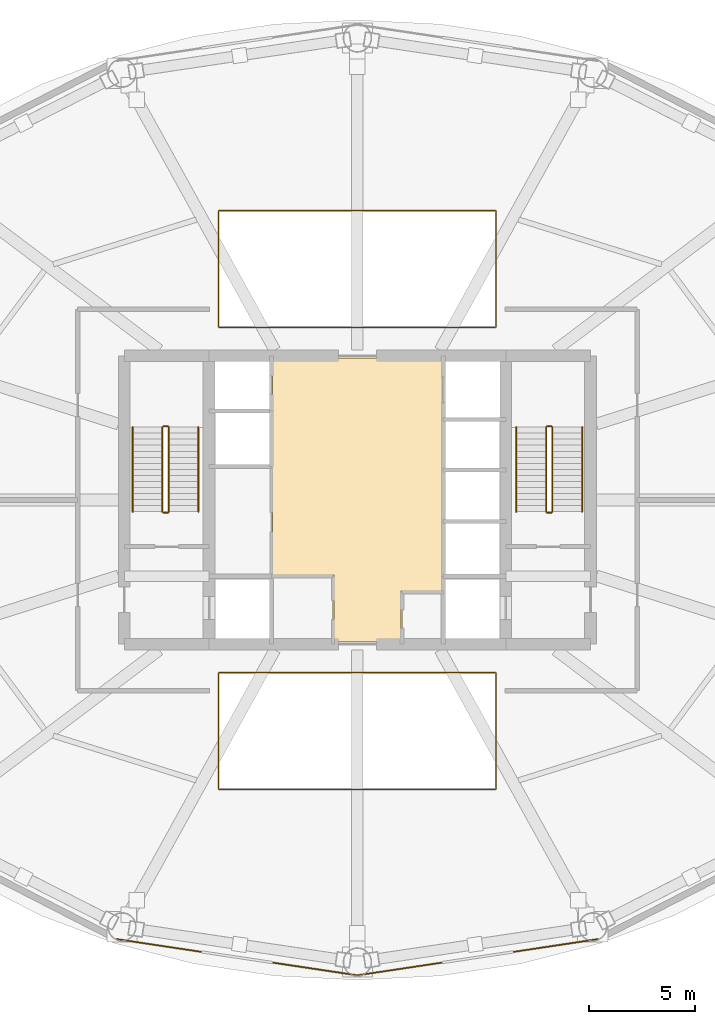
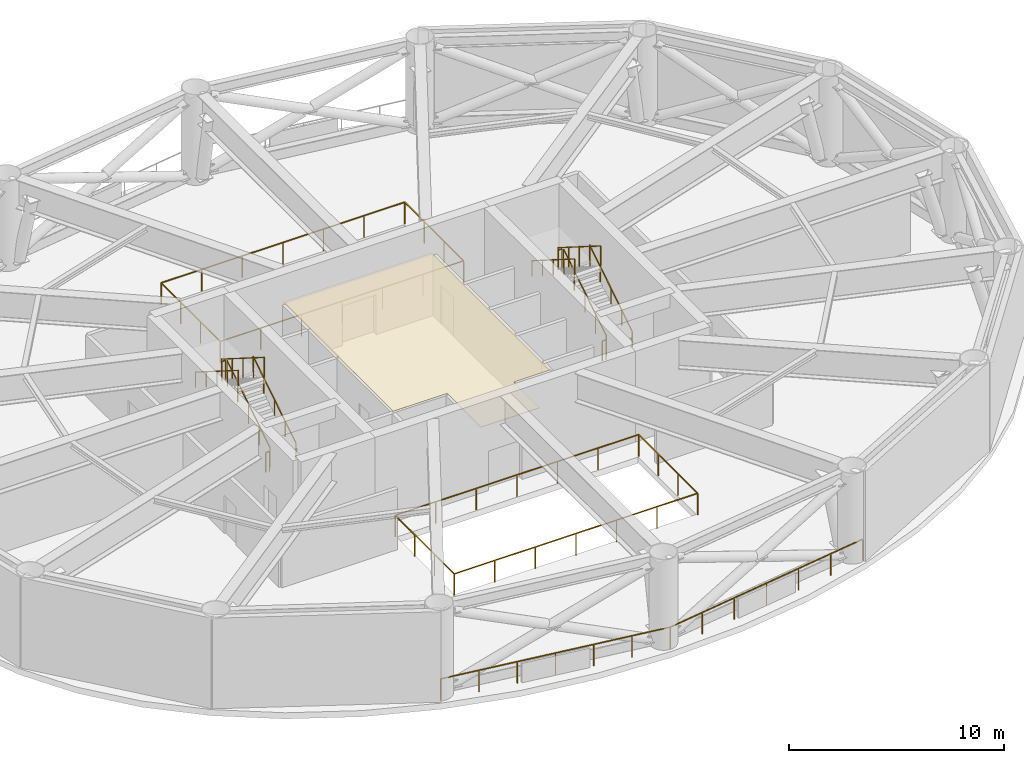
# One storey, part 7 of 8: 16 railings, 1 covering.
"""IFC4 building model written with IfcOpenShell, lengths in metres."""

from ifc_helpers import new_model, si_unit, direction, frame, origin, origin_2d, place, context, subcontext, project, spatial, polyline, rectangle, outline, extrude, material, layer, layer_set, type_object, element, save


model = new_model("IFC4")

# Units and contexts
model_context = context("Model", 3, precision=1e-05, world=origin(), true_north=direction((0.0, 1.0)))
body_context = subcontext(model_context, "Body", "Model", "MODEL_VIEW")
ifc_project = project(units=[si_unit("LENGTHUNIT", "METRE"), si_unit("AREAUNIT", "SQUARE_METRE"), si_unit("VOLUMEUNIT", "CUBIC_METRE"), si_unit("PLANEANGLEUNIT", "RADIAN"), si_unit("MASSUNIT", "GRAM", prefix="KILO")], contexts=[model_context])

# Site, building, storey
site_placement = place(None, origin())
site = spatial("IfcSite", under=ifc_project, at=site_placement, CompositionType="ELEMENT")
building_placement = place(site_placement, origin())
building = spatial("IfcBuilding", under=site, at=building_placement, Name="Sarneth Arch Tower", CompositionType="ELEMENT")
storey_placement = place(building_placement, frame((0.0, 0.0, 145.199951171875)))
storey = spatial("IfcBuildingStorey", under=building, at=storey_placement, Name="L36", CompositionType="ELEMENT", Elevation=145.199951171875)

# Covering
ifc_material_1 = material(Name="Perforated acoustic gypsum ceiling board")
ifc_layer = layer(ifc_material_1, 0.02490234375)
ifc_layer_set = layer_set([ifc_layer], Name="Perforated acoustic gypsum ceiling board")
covering_type = type_object("IfcCoveringType", Name="COV-CEIL-GYP", PredefinedType="CEILING", material=ifc_layer_set)
covering_placement = place(storey_placement, frame((0.0, 0.0, 3.420166015625)))
element("IfcCovering", 1, at=covering_placement, inside=storey, type_object=covering_type, Name="L36 Lift lobby acoustic ceiling", PredefinedType="CEILING", context=body_context, shape_type="SweptSolid", body=[
    extrude(outline(polyline([(52.0, 37.699951171875), (50.050048828125, 37.699951171875), (50.050048828125, 35.300048828125), (46.89990234375, 35.300048828125), (46.89990234375, 38.449951171875), (44.0, 38.449951171875), (44.0, 48.699951171875), (52.0, 48.699951171875), (52.0, 37.699951171875)])), origin(), (0.0, 0.0, 1.0), 0.02978515625),
])

# Railings
ifc_material_2 = material(Name="Brushed Stainless Steel 304 tubular handrail", Category="steel")
railing_type_1 = type_object("IfcRailingType", Name="RAIL-HANDRAIL-900", PredefinedType="HANDRAIL", material=ifc_material_2)
railing_1_placement = place(storey_placement, frame((40.5, 41.449951171875, 0.179931640625)))
element("IfcRailing", 2, at=railing_1_placement, inside=storey, type_object=railing_type_1, Name="L36 ST-1 stair handrail 1", PredefinedType="HANDRAIL", context=body_context, shape_type="SweptSolid", body=[
    extrude(rectangle(XDim=0.048095703125, YDim=0.048095703125, at=origin_2d()), frame((0.0, 0.0, 0.8759765625), z_axis=(0.0, 0.845486444383, 0.533996884227), x_axis=(-1.0, 0.0, 0.0)), (0.0, 0.0, 1.0), 4.71923828125),
    extrude(rectangle(XDim=0.0419921875, YDim=0.0419921875, at=origin_2d()), origin(), (0.0, 0.0, 1.0), 0.851806640625),
    extrude(rectangle(XDim=0.0419921875, YDim=0.0419921875, at=origin_2d()), frame((0.0, 0.99755859375, 0.6298828125)), (0.0, 0.0, 1.0), 0.851806640625),
    extrude(rectangle(XDim=0.0419921875, YDim=0.0419921875, at=origin_2d()), frame((0.0, 1.9951171875, 1.260009765625)), (0.0, 0.0, 1.0), 0.851806640625),
    extrude(rectangle(XDim=0.0419921875, YDim=0.0419921875, at=origin_2d()), frame((0.0, 2.992431640625, 1.89013671875)), (0.0, 0.0, 1.0), 0.851806640625),
    extrude(rectangle(XDim=0.0419921875, YDim=0.0419921875, at=origin_2d()), frame((0.0, 3.989990234375, 2.52001953125)), (0.0, 0.0, 1.0), 0.851806640625),
])
railing_2_placement = place(storey_placement, frame((37.39990234375, 45.43994140625, 2.880126953125)))
element("IfcRailing", 3, at=railing_2_placement, inside=storey, type_object=railing_type_1, Name="L36 ST-1 stair handrail 2", PredefinedType="HANDRAIL", context=body_context, shape_type="SweptSolid", body=[
    extrude(rectangle(XDim=0.048095703125, YDim=0.048095703125, at=origin_2d()), frame((0.0, 0.0, 0.8759765625), z_axis=(0.0, -0.845486444383, 0.533996884227), x_axis=(1.0, 0.0, 0.0)), (0.0, 0.0, 1.0), 4.71923828125),
    extrude(rectangle(XDim=0.0419921875, YDim=0.0419921875, at=origin_2d()), origin(), (0.0, 0.0, 1.0), 0.851806640625),
    extrude(rectangle(XDim=0.0419921875, YDim=0.0419921875, at=origin_2d()), frame((0.0, -0.99755859375, 0.6298828125)), (0.0, 0.0, 1.0), 0.851806640625),
    extrude(rectangle(XDim=0.0419921875, YDim=0.0419921875, at=origin_2d()), frame((0.0, -1.9951171875, 1.260009765625)), (0.0, 0.0, 1.0), 0.851806640625),
    extrude(rectangle(XDim=0.0419921875, YDim=0.0419921875, at=origin_2d()), frame((0.0, -2.992431640625, 1.89013671875)), (0.0, 0.0, 1.0), 0.851806640625),
    extrude(rectangle(XDim=0.0419921875, YDim=0.0419921875, at=origin_2d()), frame((0.0, -3.989990234375, 2.52001953125)), (0.0, 0.0, 1.0), 0.851806640625),
])
railing_3_placement = place(storey_placement, frame((58.60009765625, 41.449951171875, 0.179931640625)))
element("IfcRailing", 4, at=railing_3_placement, inside=storey, type_object=railing_type_1, Name="L36 ST-2 stair handrail 1", PredefinedType="HANDRAIL", context=body_context, shape_type="SweptSolid", body=[
    extrude(rectangle(XDim=0.048095703125, YDim=0.048095703125, at=origin_2d()), frame((0.0, 0.0, 0.8759765625), z_axis=(0.0, 0.845486444383, 0.533996884227), x_axis=(-1.0, 0.0, 0.0)), (0.0, 0.0, 1.0), 4.71923828125),
    extrude(rectangle(XDim=0.0419921875, YDim=0.0419921875, at=origin_2d()), origin(), (0.0, 0.0, 1.0), 0.851806640625),
    extrude(rectangle(XDim=0.0419921875, YDim=0.0419921875, at=origin_2d()), frame((0.0, 0.99755859375, 0.6298828125)), (0.0, 0.0, 1.0), 0.851806640625),
    extrude(rectangle(XDim=0.0419921875, YDim=0.0419921875, at=origin_2d()), frame((0.0, 1.9951171875, 1.260009765625)), (0.0, 0.0, 1.0), 0.851806640625),
    extrude(rectangle(XDim=0.0419921875, YDim=0.0419921875, at=origin_2d()), frame((0.0, 2.992431640625, 1.89013671875)), (0.0, 0.0, 1.0), 0.851806640625),
    extrude(rectangle(XDim=0.0419921875, YDim=0.0419921875, at=origin_2d()), frame((0.0, 3.989990234375, 2.52001953125)), (0.0, 0.0, 1.0), 0.851806640625),
])
railing_4_placement = place(storey_placement, frame((55.5, 45.43994140625, 2.880126953125)))
element("IfcRailing", 5, at=railing_4_placement, inside=storey, type_object=railing_type_1, Name="L36 ST-2 stair handrail 2", PredefinedType="HANDRAIL", context=body_context, shape_type="SweptSolid", body=[
    extrude(rectangle(XDim=0.048095703125, YDim=0.048095703125, at=origin_2d()), frame((0.0, 0.0, 0.8759765625), z_axis=(0.0, -0.845486444383, 0.533996884227), x_axis=(1.0, 0.0, 0.0)), (0.0, 0.0, 1.0), 4.71923828125),
    extrude(rectangle(XDim=0.0419921875, YDim=0.0419921875, at=origin_2d()), origin(), (0.0, 0.0, 1.0), 0.851806640625),
    extrude(rectangle(XDim=0.0419921875, YDim=0.0419921875, at=origin_2d()), frame((0.0, -0.99755859375, 0.6298828125)), (0.0, 0.0, 1.0), 0.851806640625),
    extrude(rectangle(XDim=0.0419921875, YDim=0.0419921875, at=origin_2d()), frame((0.0, -1.9951171875, 1.260009765625)), (0.0, 0.0, 1.0), 0.851806640625),
    extrude(rectangle(XDim=0.0419921875, YDim=0.0419921875, at=origin_2d()), frame((0.0, -2.992431640625, 1.89013671875)), (0.0, 0.0, 1.0), 0.851806640625),
    extrude(rectangle(XDim=0.0419921875, YDim=0.0419921875, at=origin_2d()), frame((0.0, -3.989990234375, 2.52001953125)), (0.0, 0.0, 1.0), 0.851806640625),
])
ifc_material_3 = material(Name="Painted Steel S275 stair well guard", Category="steel")
railing_type_2 = type_object("IfcRailingType", Name="RAIL-STAIR-GUARD", PredefinedType="GUARDRAIL", material=ifc_material_3)
railing_5_placement = place(storey_placement, frame((39.10009765625, 41.449951171875, 0.179931640625)))
element("IfcRailing", 6, at=railing_5_placement, inside=storey, type_object=railing_type_2, Name="L36 ST-1 stair guard 1", PredefinedType="GUARDRAIL", context=body_context, shape_type="SweptSolid", body=[
    extrude(rectangle(XDim=0.048095703125, YDim=0.048095703125, at=origin_2d()), frame((0.0, 0.0, 1.1259765625), z_axis=(0.0, 0.845486444383, 0.533996884227), x_axis=(-1.0, 0.0, 0.0)), (0.0, 0.0, 1.0), 4.71923828125),
    extrude(rectangle(XDim=0.0419921875, YDim=0.0419921875, at=origin_2d()), origin(), (0.0, 0.0, 1.0), 1.101806640625),
    extrude(rectangle(XDim=0.0419921875, YDim=0.0419921875, at=origin_2d()), frame((0.0, 0.99755859375, 0.6298828125)), (0.0, 0.0, 1.0), 1.101806640625),
    extrude(rectangle(XDim=0.0419921875, YDim=0.0419921875, at=origin_2d()), frame((0.0, 1.9951171875, 1.260009765625)), (0.0, 0.0, 1.0), 1.101806640625),
    extrude(rectangle(XDim=0.0419921875, YDim=0.0419921875, at=origin_2d()), frame((0.0, 2.992431640625, 1.89013671875)), (0.0, 0.0, 1.0), 1.101806640625),
    extrude(rectangle(XDim=0.0419921875, YDim=0.0419921875, at=origin_2d()), frame((0.0, 3.989990234375, 2.52001953125)), (0.0, 0.0, 1.0), 1.101806640625),
])
railing_6_placement = place(storey_placement, frame((39.050048828125, 45.489990234375, 2.699951171875)))
element("IfcRailing", 7, at=railing_6_placement, inside=storey, type_object=railing_type_2, Name="L36 ST-1 stair guard 2", PredefinedType="GUARDRAIL", context=body_context, shape_type="SweptSolid", body=[
    extrude(rectangle(XDim=0.048095703125, YDim=0.048095703125, at=origin_2d()), frame((0.0, 0.0, 1.1259765625), z_axis=(-1.0, 0.0, 0.0), x_axis=(0.0, -1.0, 0.0)), (0.0, 0.0, 1.0), 0.199951171875),
    extrude(rectangle(XDim=0.0419921875, YDim=0.0419921875, at=origin_2d()), origin(), (0.0, 0.0, 1.0), 1.101806640625),
    extrude(rectangle(XDim=0.0419921875, YDim=0.0419921875, at=origin_2d()), frame((-0.199951171875, 0.0, 0.0)), (0.0, 0.0, 1.0), 1.101806640625),
])
railing_7_placement = place(storey_placement, frame((38.800048828125, 45.43994140625, 2.880126953125)))
element("IfcRailing", 8, at=railing_7_placement, inside=storey, type_object=railing_type_2, Name="L36 ST-1 stair guard 3", PredefinedType="GUARDRAIL", context=body_context, shape_type="SweptSolid", body=[
    extrude(rectangle(XDim=0.048095703125, YDim=0.048095703125, at=origin_2d()), frame((0.0, 0.0, 1.1259765625), z_axis=(0.0, -0.845486444383, 0.533996884227), x_axis=(1.0, 0.0, 0.0)), (0.0, 0.0, 1.0), 4.71923828125),
    extrude(rectangle(XDim=0.0419921875, YDim=0.0419921875, at=origin_2d()), origin(), (0.0, 0.0, 1.0), 1.101806640625),
    extrude(rectangle(XDim=0.0419921875, YDim=0.0419921875, at=origin_2d()), frame((0.0, -0.99755859375, 0.6298828125)), (0.0, 0.0, 1.0), 1.101806640625),
    extrude(rectangle(XDim=0.0419921875, YDim=0.0419921875, at=origin_2d()), frame((0.0, -1.9951171875, 1.260009765625)), (0.0, 0.0, 1.0), 1.101806640625),
    extrude(rectangle(XDim=0.0419921875, YDim=0.0419921875, at=origin_2d()), frame((0.0, -2.992431640625, 1.89013671875)), (0.0, 0.0, 1.0), 1.101806640625),
    extrude(rectangle(XDim=0.0419921875, YDim=0.0419921875, at=origin_2d()), frame((0.0, -3.989990234375, 2.52001953125)), (0.0, 0.0, 1.0), 1.101806640625),
])
railing_8_placement = place(storey_placement, frame((39.050048828125, 41.39990234375, 0.0)))
element("IfcRailing", 9, at=railing_8_placement, inside=storey, type_object=railing_type_2, Name="L36 ST-1 stair guard 4", PredefinedType="GUARDRAIL", context=body_context, shape_type="SweptSolid", body=[
    extrude(rectangle(XDim=0.048095703125, YDim=0.048095703125, at=origin_2d()), frame((0.0, 0.0, 1.1259765625), z_axis=(-1.0, 0.0, 0.0), x_axis=(0.0, -1.0, 0.0)), (0.0, 0.0, 1.0), 0.199951171875),
    extrude(rectangle(XDim=0.0419921875, YDim=0.0419921875, at=origin_2d()), origin(), (0.0, 0.0, 1.0), 1.101806640625),
    extrude(rectangle(XDim=0.0419921875, YDim=0.0419921875, at=origin_2d()), frame((-0.199951171875, 0.0, 0.0)), (0.0, 0.0, 1.0), 1.101806640625),
])
railing_9_placement = place(storey_placement, frame((57.199951171875, 41.449951171875, 0.179931640625)))
element("IfcRailing", 10, at=railing_9_placement, inside=storey, type_object=railing_type_2, Name="L36 ST-2 stair guard 1", PredefinedType="GUARDRAIL", context=body_context, shape_type="SweptSolid", body=[
    extrude(rectangle(XDim=0.048095703125, YDim=0.048095703125, at=origin_2d()), frame((0.0, 0.0, 1.1259765625), z_axis=(0.0, 0.845486444383, 0.533996884227), x_axis=(-1.0, 0.0, 0.0)), (0.0, 0.0, 1.0), 4.71923828125),
    extrude(rectangle(XDim=0.0419921875, YDim=0.0419921875, at=origin_2d()), origin(), (0.0, 0.0, 1.0), 1.101806640625),
    extrude(rectangle(XDim=0.0419921875, YDim=0.0419921875, at=origin_2d()), frame((0.0, 0.99755859375, 0.6298828125)), (0.0, 0.0, 1.0), 1.101806640625),
    extrude(rectangle(XDim=0.0419921875, YDim=0.0419921875, at=origin_2d()), frame((0.0, 1.9951171875, 1.260009765625)), (0.0, 0.0, 1.0), 1.101806640625),
    extrude(rectangle(XDim=0.0419921875, YDim=0.0419921875, at=origin_2d()), frame((0.0, 2.992431640625, 1.89013671875)), (0.0, 0.0, 1.0), 1.101806640625),
    extrude(rectangle(XDim=0.0419921875, YDim=0.0419921875, at=origin_2d()), frame((0.0, 3.989990234375, 2.52001953125)), (0.0, 0.0, 1.0), 1.101806640625),
])
railing_10_placement = place(storey_placement, frame((57.14990234375, 45.489990234375, 2.699951171875)))
element("IfcRailing", 11, at=railing_10_placement, inside=storey, type_object=railing_type_2, Name="L36 ST-2 stair guard 2", PredefinedType="GUARDRAIL", context=body_context, shape_type="SweptSolid", body=[
    extrude(rectangle(XDim=0.048095703125, YDim=0.048095703125, at=origin_2d()), frame((0.0, 0.0, 1.1259765625), z_axis=(-1.0, 0.0, 0.0), x_axis=(0.0, -1.0, 0.0)), (0.0, 0.0, 1.0), 0.199951171875),
    extrude(rectangle(XDim=0.0419921875, YDim=0.0419921875, at=origin_2d()), origin(), (0.0, 0.0, 1.0), 1.101806640625),
    extrude(rectangle(XDim=0.0419921875, YDim=0.0419921875, at=origin_2d()), frame((-0.199951171875, 0.0, 0.0)), (0.0, 0.0, 1.0), 1.101806640625),
])
railing_11_placement = place(storey_placement, frame((56.89990234375, 45.43994140625, 2.880126953125)))
element("IfcRailing", 12, at=railing_11_placement, inside=storey, type_object=railing_type_2, Name="L36 ST-2 stair guard 3", PredefinedType="GUARDRAIL", context=body_context, shape_type="SweptSolid", body=[
    extrude(rectangle(XDim=0.048095703125, YDim=0.048095703125, at=origin_2d()), frame((0.0, 0.0, 1.1259765625), z_axis=(0.0, -0.845486444383, 0.533996884227), x_axis=(1.0, 0.0, 0.0)), (0.0, 0.0, 1.0), 4.71923828125),
    extrude(rectangle(XDim=0.0419921875, YDim=0.0419921875, at=origin_2d()), origin(), (0.0, 0.0, 1.0), 1.101806640625),
    extrude(rectangle(XDim=0.0419921875, YDim=0.0419921875, at=origin_2d()), frame((0.0, -0.99755859375, 0.6298828125)), (0.0, 0.0, 1.0), 1.101806640625),
    extrude(rectangle(XDim=0.0419921875, YDim=0.0419921875, at=origin_2d()), frame((0.0, -1.9951171875, 1.260009765625)), (0.0, 0.0, 1.0), 1.101806640625),
    extrude(rectangle(XDim=0.0419921875, YDim=0.0419921875, at=origin_2d()), frame((0.0, -2.992431640625, 1.89013671875)), (0.0, 0.0, 1.0), 1.101806640625),
    extrude(rectangle(XDim=0.0419921875, YDim=0.0419921875, at=origin_2d()), frame((0.0, -3.989990234375, 2.52001953125)), (0.0, 0.0, 1.0), 1.101806640625),
])
railing_12_placement = place(storey_placement, frame((57.14990234375, 41.39990234375, 0.0)))
element("IfcRailing", 13, at=railing_12_placement, inside=storey, type_object=railing_type_2, Name="L36 ST-2 stair guard 4", PredefinedType="GUARDRAIL", context=body_context, shape_type="SweptSolid", body=[
    extrude(rectangle(XDim=0.048095703125, YDim=0.048095703125, at=origin_2d()), frame((0.0, 0.0, 1.1259765625), z_axis=(-1.0, 0.0, 0.0), x_axis=(0.0, -1.0, 0.0)), (0.0, 0.0, 1.0), 0.199951171875),
    extrude(rectangle(XDim=0.0419921875, YDim=0.0419921875, at=origin_2d()), origin(), (0.0, 0.0, 1.0), 1.101806640625),
    extrude(rectangle(XDim=0.0419921875, YDim=0.0419921875, at=origin_2d()), frame((-0.199951171875, 0.0, 0.0)), (0.0, 0.0, 1.0), 1.101806640625),
])
ifc_material_4 = material(Name="Stainless Steel 316 balustrade with vertical posts at 1,800 mm centres", Category="steel")
railing_type_3 = type_object("IfcRailingType", Name="RAIL-TERR-1250", PredefinedType="GUARDRAIL", material=ifc_material_4)
railing_13_placement = place(storey_placement, frame((41.449951171875, 50.14990234375, 0.0)))
element("IfcRailing", 14, at=railing_13_placement, inside=storey, type_object=railing_type_3, Name="L36 Wind-turbine slot deck opening guard N", PredefinedType="GUARDRAIL", context=body_context, shape_type="SweptSolid", body=[
    extrude(rectangle(XDim=0.048095703125, YDim=0.048095703125, at=origin_2d()), frame((0.0, 0.0, 1.22607421875), z_axis=(1.0, 0.0, 0.0), x_axis=(0.0, 1.0, 0.0)), (0.0, 0.0, 1.0), 13.10009765625),
    extrude(rectangle(XDim=0.048095703125, YDim=0.048095703125, at=origin_2d()), frame((13.10009765625, 0.0, 1.22607421875), z_axis=(0.0, 1.0, 0.0), x_axis=(-1.0, 0.0, 0.0)), (0.0, 0.0, 1.0), 5.5),
    extrude(rectangle(XDim=0.048095703125, YDim=0.048095703125, at=origin_2d()), frame((13.10009765625, 5.5, 1.22607421875), z_axis=(-1.0, 0.0, 0.0), x_axis=(0.0, -1.0, 0.0)), (0.0, 0.0, 1.0), 13.10009765625),
    extrude(rectangle(XDim=0.048095703125, YDim=0.048095703125, at=origin_2d()), frame((0.0, 5.5, 1.22607421875), z_axis=(0.0, -1.0, 0.0), x_axis=(1.0, 0.0, 0.0)), (0.0, 0.0, 1.0), 5.5),
    extrude(rectangle(XDim=0.0419921875, YDim=0.0419921875, at=origin_2d()), origin(), (0.0, 0.0, 1.0), 1.201904296875),
    extrude(rectangle(XDim=0.0419921875, YDim=0.0419921875, at=origin_2d()), frame((2.183349609375, 0.0, 0.0)), (0.0, 0.0, 1.0), 1.201904296875),
    extrude(rectangle(XDim=0.0419921875, YDim=0.0419921875, at=origin_2d()), frame((4.36669921875, 0.0, 0.0)), (0.0, 0.0, 1.0), 1.201904296875),
    extrude(rectangle(XDim=0.0419921875, YDim=0.0419921875, at=origin_2d()), frame((6.550048828125, 0.0, 0.0)), (0.0, 0.0, 1.0), 1.201904296875),
    extrude(rectangle(XDim=0.0419921875, YDim=0.0419921875, at=origin_2d()), frame((8.7333984375, 0.0, 0.0)), (0.0, 0.0, 1.0), 1.201904296875),
    extrude(rectangle(XDim=0.0419921875, YDim=0.0419921875, at=origin_2d()), frame((10.916748046875, 0.0, 0.0)), (0.0, 0.0, 1.0), 1.201904296875),
    extrude(rectangle(XDim=0.0419921875, YDim=0.0419921875, at=origin_2d()), frame((13.10009765625, 0.0, 0.0)), (0.0, 0.0, 1.0), 1.201904296875),
    extrude(rectangle(XDim=0.0419921875, YDim=0.0419921875, at=origin_2d()), frame((13.10009765625, 1.833251953125, 0.0)), (0.0, 0.0, 1.0), 1.201904296875),
    extrude(rectangle(XDim=0.0419921875, YDim=0.0419921875, at=origin_2d()), frame((13.10009765625, 3.666748046875, 0.0)), (0.0, 0.0, 1.0), 1.201904296875),
    extrude(rectangle(XDim=0.0419921875, YDim=0.0419921875, at=origin_2d()), frame((13.10009765625, 5.5, 0.0)), (0.0, 0.0, 1.0), 1.201904296875),
    extrude(rectangle(XDim=0.0419921875, YDim=0.0419921875, at=origin_2d()), frame((10.916748046875, 5.5, 0.0)), (0.0, 0.0, 1.0), 1.201904296875),
    extrude(rectangle(XDim=0.0419921875, YDim=0.0419921875, at=origin_2d()), frame((8.7333984375, 5.5, 0.0)), (0.0, 0.0, 1.0), 1.201904296875),
    extrude(rectangle(XDim=0.0419921875, YDim=0.0419921875, at=origin_2d()), frame((6.550048828125, 5.5, 0.0)), (0.0, 0.0, 1.0), 1.201904296875),
    extrude(rectangle(XDim=0.0419921875, YDim=0.0419921875, at=origin_2d()), frame((4.36669921875, 5.5, 0.0)), (0.0, 0.0, 1.0), 1.201904296875),
    extrude(rectangle(XDim=0.0419921875, YDim=0.0419921875, at=origin_2d()), frame((2.183349609375, 5.5, 0.0)), (0.0, 0.0, 1.0), 1.201904296875),
    extrude(rectangle(XDim=0.0419921875, YDim=0.0419921875, at=origin_2d()), frame((0.0, 5.5, 0.0)), (0.0, 0.0, 1.0), 1.201904296875),
    extrude(rectangle(XDim=0.0419921875, YDim=0.0419921875, at=origin_2d()), frame((0.0, 3.666748046875, 0.0)), (0.0, 0.0, 1.0), 1.201904296875),
    extrude(rectangle(XDim=0.0419921875, YDim=0.0419921875, at=origin_2d()), frame((0.0, 1.833251953125, 0.0)), (0.0, 0.0, 1.0), 1.201904296875),
])
railing_14_placement = place(storey_placement, frame((41.449951171875, 28.35009765625, 0.0)))
element("IfcRailing", 15, at=railing_14_placement, inside=storey, type_object=railing_type_3, Name="L36 Wind-turbine slot deck opening guard S", PredefinedType="GUARDRAIL", context=body_context, shape_type="SweptSolid", body=[
    extrude(rectangle(XDim=0.048095703125, YDim=0.048095703125, at=origin_2d()), frame((0.0, 0.0, 1.22607421875), z_axis=(1.0, 0.0, 0.0), x_axis=(0.0, 1.0, 0.0)), (0.0, 0.0, 1.0), 13.10009765625),
    extrude(rectangle(XDim=0.048095703125, YDim=0.048095703125, at=origin_2d()), frame((13.10009765625, 0.0, 1.22607421875), z_axis=(0.0, 1.0, 0.0), x_axis=(-1.0, 0.0, 0.0)), (0.0, 0.0, 1.0), 5.5),
    extrude(rectangle(XDim=0.048095703125, YDim=0.048095703125, at=origin_2d()), frame((13.10009765625, 5.5, 1.22607421875), z_axis=(-1.0, 0.0, 0.0), x_axis=(0.0, -1.0, 0.0)), (0.0, 0.0, 1.0), 13.10009765625),
    extrude(rectangle(XDim=0.048095703125, YDim=0.048095703125, at=origin_2d()), frame((0.0, 5.5, 1.22607421875), z_axis=(0.0, -1.0, 0.0), x_axis=(1.0, 0.0, 0.0)), (0.0, 0.0, 1.0), 5.5),
    extrude(rectangle(XDim=0.0419921875, YDim=0.0419921875, at=origin_2d()), origin(), (0.0, 0.0, 1.0), 1.201904296875),
    extrude(rectangle(XDim=0.0419921875, YDim=0.0419921875, at=origin_2d()), frame((2.183349609375, 0.0, 0.0)), (0.0, 0.0, 1.0), 1.201904296875),
    extrude(rectangle(XDim=0.0419921875, YDim=0.0419921875, at=origin_2d()), frame((4.36669921875, 0.0, 0.0)), (0.0, 0.0, 1.0), 1.201904296875),
    extrude(rectangle(XDim=0.0419921875, YDim=0.0419921875, at=origin_2d()), frame((6.550048828125, 0.0, 0.0)), (0.0, 0.0, 1.0), 1.201904296875),
    extrude(rectangle(XDim=0.0419921875, YDim=0.0419921875, at=origin_2d()), frame((8.7333984375, 0.0, 0.0)), (0.0, 0.0, 1.0), 1.201904296875),
    extrude(rectangle(XDim=0.0419921875, YDim=0.0419921875, at=origin_2d()), frame((10.916748046875, 0.0, 0.0)), (0.0, 0.0, 1.0), 1.201904296875),
    extrude(rectangle(XDim=0.0419921875, YDim=0.0419921875, at=origin_2d()), frame((13.10009765625, 0.0, 0.0)), (0.0, 0.0, 1.0), 1.201904296875),
    extrude(rectangle(XDim=0.0419921875, YDim=0.0419921875, at=origin_2d()), frame((13.10009765625, 1.833251953125, 0.0)), (0.0, 0.0, 1.0), 1.201904296875),
    extrude(rectangle(XDim=0.0419921875, YDim=0.0419921875, at=origin_2d()), frame((13.10009765625, 3.666748046875, 0.0)), (0.0, 0.0, 1.0), 1.201904296875),
    extrude(rectangle(XDim=0.0419921875, YDim=0.0419921875, at=origin_2d()), frame((13.10009765625, 5.5, 0.0)), (0.0, 0.0, 1.0), 1.201904296875),
    extrude(rectangle(XDim=0.0419921875, YDim=0.0419921875, at=origin_2d()), frame((10.916748046875, 5.5, 0.0)), (0.0, 0.0, 1.0), 1.201904296875),
    extrude(rectangle(XDim=0.0419921875, YDim=0.0419921875, at=origin_2d()), frame((8.7333984375, 5.5, 0.0)), (0.0, 0.0, 1.0), 1.201904296875),
    extrude(rectangle(XDim=0.0419921875, YDim=0.0419921875, at=origin_2d()), frame((6.550048828125, 5.5, 0.0)), (0.0, 0.0, 1.0), 1.201904296875),
    extrude(rectangle(XDim=0.0419921875, YDim=0.0419921875, at=origin_2d()), frame((4.36669921875, 5.5, 0.0)), (0.0, 0.0, 1.0), 1.201904296875),
    extrude(rectangle(XDim=0.0419921875, YDim=0.0419921875, at=origin_2d()), frame((2.183349609375, 5.5, 0.0)), (0.0, 0.0, 1.0), 1.201904296875),
    extrude(rectangle(XDim=0.0419921875, YDim=0.0419921875, at=origin_2d()), frame((0.0, 5.5, 0.0)), (0.0, 0.0, 1.0), 1.201904296875),
    extrude(rectangle(XDim=0.0419921875, YDim=0.0419921875, at=origin_2d()), frame((0.0, 3.666748046875, 0.0)), (0.0, 0.0, 1.0), 1.201904296875),
    extrude(rectangle(XDim=0.0419921875, YDim=0.0419921875, at=origin_2d()), frame((0.0, 1.833251953125, 0.0)), (0.0, 0.0, 1.0), 1.201904296875),
])
railing_15_placement = place(storey_placement, frame((36.648681640625, 21.27734375, 0.0)))
element("IfcRailing", 16, at=railing_15_placement, inside=storey, type_object=railing_type_3, Name="L36 Wind-turbine slot guard 12", PredefinedType="GUARDRAIL", context=body_context, shape_type="SweptSolid", body=[
    extrude(rectangle(XDim=0.048095703125, YDim=0.048095703125, at=origin_2d()), frame((0.0, 0.0, 1.22607421875), z_axis=(0.988877774656, -0.148730450117, 0.0), x_axis=(0.148730450117, 0.988877774656, 0.0)), (0.0, 0.0, 1.0), 11.47900390625),
    extrude(rectangle(XDim=0.0419921875, YDim=0.0419921875, at=origin_2d()), origin(), (0.0, 0.0, 1.0), 1.201904296875),
    extrude(rectangle(XDim=0.0419921875, YDim=0.0419921875, at=origin_2d()), frame((1.891845703125, -0.28466796875, 0.0)), (0.0, 0.0, 1.0), 1.201904296875),
    extrude(rectangle(XDim=0.0419921875, YDim=0.0419921875, at=origin_2d()), frame((3.78369140625, -0.569091796875, 0.0)), (0.0, 0.0, 1.0), 1.201904296875),
    extrude(rectangle(XDim=0.0419921875, YDim=0.0419921875, at=origin_2d()), frame((5.67578125, -0.853515625, 0.0)), (0.0, 0.0, 1.0), 1.201904296875),
    extrude(rectangle(XDim=0.0419921875, YDim=0.0419921875, at=origin_2d()), frame((7.567626953125, -1.13818359375, 0.0)), (0.0, 0.0, 1.0), 1.201904296875),
    extrude(rectangle(XDim=0.0419921875, YDim=0.0419921875, at=origin_2d()), frame((9.45947265625, -1.4228515625, 0.0)), (0.0, 0.0, 1.0), 1.201904296875),
    extrude(rectangle(XDim=0.0419921875, YDim=0.0419921875, at=origin_2d()), frame((11.351318359375, -1.707275390625, 0.0)), (0.0, 0.0, 1.0), 1.201904296875),
])
railing_16_placement = place(storey_placement, frame((48.0, 19.570068359375, 0.0)))
element("IfcRailing", 17, at=railing_16_placement, inside=storey, type_object=railing_type_3, Name="L36 Wind-turbine slot guard 13", PredefinedType="GUARDRAIL", context=body_context, shape_type="SweptSolid", body=[
    extrude(rectangle(XDim=0.048095703125, YDim=0.048095703125, at=origin_2d()), frame((0.0, 0.0, 1.22607421875), z_axis=(0.988877774656, 0.148730450117, 0.0), x_axis=(-0.148730450117, 0.988877774656, 0.0)), (0.0, 0.0, 1.0), 11.47900390625),
    extrude(rectangle(XDim=0.0419921875, YDim=0.0419921875, at=origin_2d()), origin(), (0.0, 0.0, 1.0), 1.201904296875),
    extrude(rectangle(XDim=0.0419921875, YDim=0.0419921875, at=origin_2d()), frame((1.891845703125, 0.28466796875, 0.0)), (0.0, 0.0, 1.0), 1.201904296875),
    extrude(rectangle(XDim=0.0419921875, YDim=0.0419921875, at=origin_2d()), frame((3.78369140625, 0.569091796875, 0.0)), (0.0, 0.0, 1.0), 1.201904296875),
    extrude(rectangle(XDim=0.0419921875, YDim=0.0419921875, at=origin_2d()), frame((5.67578125, 0.853515625, 0.0)), (0.0, 0.0, 1.0), 1.201904296875),
    extrude(rectangle(XDim=0.0419921875, YDim=0.0419921875, at=origin_2d()), frame((7.567626953125, 1.13818359375, 0.0)), (0.0, 0.0, 1.0), 1.201904296875),
    extrude(rectangle(XDim=0.0419921875, YDim=0.0419921875, at=origin_2d()), frame((9.45947265625, 1.4228515625, 0.0)), (0.0, 0.0, 1.0), 1.201904296875),
    extrude(rectangle(XDim=0.0419921875, YDim=0.0419921875, at=origin_2d()), frame((11.351318359375, 1.707275390625, 0.0)), (0.0, 0.0, 1.0), 1.201904296875),
])

save(model, "model.ifc")
